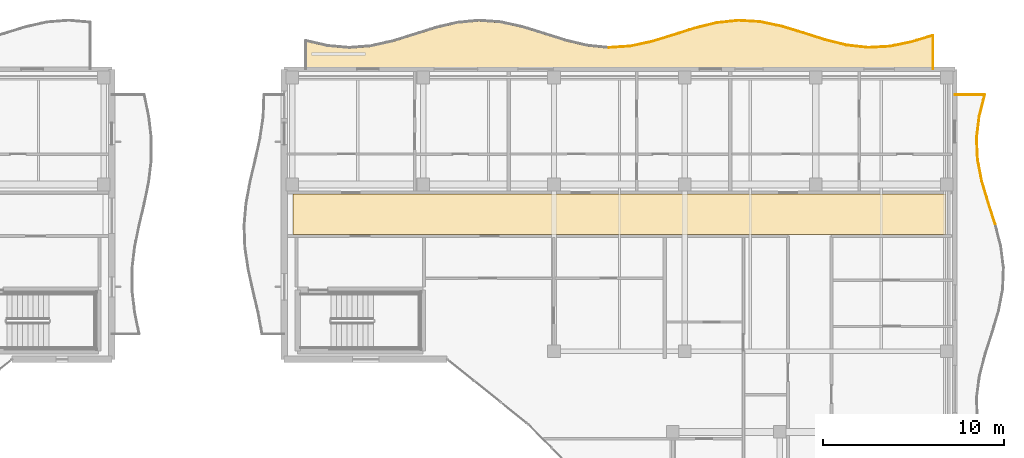
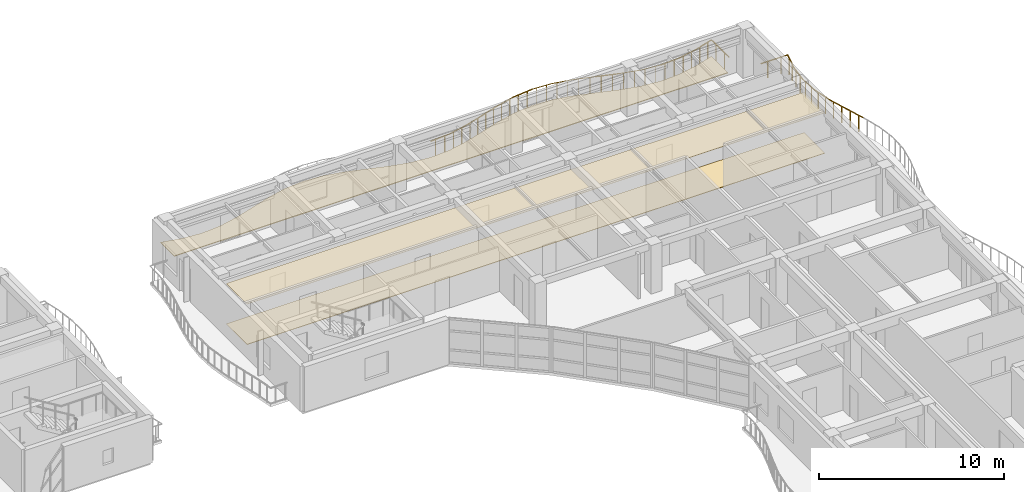
# One storey, part 89 of 89: 23 railings, 3 coverings.
"""IFC4 building model written with IfcOpenShell, lengths in metres."""

from ifc_helpers import new_model, si_unit, direction, frame, origin, origin_2d, place, context, subcontext, project, spatial, polyline, circle, outline, extrude, material, layer, layer_set, type_object, element, save


model = new_model("IFC4")

# Units and contexts
model_context = context("Model", 3, precision=1e-05, world=origin(), true_north=direction((0.0, 1.0)))
body_context = subcontext(model_context, "Body", "Model", "MODEL_VIEW")
ifc_project = project(units=[si_unit("LENGTHUNIT", "METRE"), si_unit("AREAUNIT", "SQUARE_METRE"), si_unit("VOLUMEUNIT", "CUBIC_METRE"), si_unit("PLANEANGLEUNIT", "RADIAN"), si_unit("MASSUNIT", "GRAM", prefix="KILO")], contexts=[model_context])

# Site, building, storey
site_placement = place(None, origin())
site = spatial("IfcSite", under=ifc_project, at=site_placement, CompositionType="ELEMENT")
building_placement = place(site_placement, origin())
building = spatial("IfcBuilding", under=site, at=building_placement, Name="Keldmere Railside Commons", CompositionType="ELEMENT")
storey_placement = place(building_placement, frame((0.0, 0.0, 7.360107421875)))
storey = spatial("IfcBuildingStorey", under=building, at=storey_placement, Name="L02", CompositionType="ELEMENT", Elevation=7.360107421875)

# Railings
ifc_material_1 = material(Name="Steel F-24 (S235)", Category="steel")
railing_type = type_object("IfcRailingType", Name="Balcony & Terrace Steel Balustrade 1100", PredefinedType="BALUSTRADE", material=ifc_material_1)
railing_1_placement = place(storey_placement, frame((164.9033203125, 117.201171875, 0.0)))
element("IfcRailing", 1, at=railing_1_placement, inside=storey, type_object=railing_type, Name="GR-1 GRD-L02-3304", PredefinedType="BALUSTRADE", context=body_context, shape_type="SweptSolid", body=[
    extrude(circle(Radius=0.02392578125, at=origin_2d()), frame((0.0, 0.0, 1.076171875), z_axis=(0.997877222893, 0.065123329399, 0.0), x_axis=(-0.065123329399, 0.997877222893, 0.0)), (0.0, 0.0, 1.0), 1.19580078125),
    extrude(circle(Radius=0.02099609375, at=origin_2d()), frame((0.29833984375, 0.01953125, 0.0)), (0.0, 0.0, 1.0), 1.048095703125),
    extrude(circle(Radius=0.02099609375, at=origin_2d()), frame((0.89501953125, 0.058349609375, 0.0)), (0.0, 0.0, 1.0), 1.048095703125),
])
railing_2_placement = place(storey_placement, frame((166.0966796875, 117.279052734375, 0.0)))
element("IfcRailing", 2, at=railing_2_placement, inside=storey, type_object=railing_type, Name="GR-1 GRD-L02-3305", PredefinedType="BALUSTRADE", context=body_context, shape_type="SweptSolid", body=[
    extrude(circle(Radius=0.02392578125, at=origin_2d()), frame((0.0, 0.0, 1.076171875), z_axis=(0.9778111974, 0.209488095698, 0.0), x_axis=(-0.209488095698, 0.9778111974, 0.0)), (0.0, 0.0, 1.0), 1.22021484375),
    extrude(circle(Radius=0.02099609375, at=origin_2d()), frame((0.29833984375, 0.06396484375, 0.0)), (0.0, 0.0, 1.0), 1.048095703125),
    extrude(circle(Radius=0.02099609375, at=origin_2d()), frame((0.894775390625, 0.191650390625, 0.0)), (0.0, 0.0, 1.0), 1.048095703125),
])
railing_3_placement = place(storey_placement, frame((167.289794921875, 117.53466796875, 0.0)))
element("IfcRailing", 3, at=railing_3_placement, inside=storey, type_object=railing_type, Name="GR-1 GRD-L02-3306", PredefinedType="BALUSTRADE", context=body_context, shape_type="SweptSolid", body=[
    extrude(circle(Radius=0.02392578125, at=origin_2d()), frame((0.0, 0.0, 1.076171875), z_axis=(0.956091490914, 0.293068355512, 0.0), x_axis=(-0.293068355512, 0.956091490914, 0.0)), (0.0, 0.0, 1.0), 1.247802734375),
    extrude(circle(Radius=0.02099609375, at=origin_2d()), frame((0.29833984375, 0.09130859375, 0.0)), (0.0, 0.0, 1.0), 1.048095703125),
    extrude(circle(Radius=0.02099609375, at=origin_2d()), frame((0.894775390625, 0.2744140625, 0.0)), (0.0, 0.0, 1.0), 1.048095703125),
])
railing_4_placement = place(storey_placement, frame((168.48291015625, 117.900390625, 0.0)))
element("IfcRailing", 4, at=railing_4_placement, inside=storey, type_object=railing_type, Name="GR-1 GRD-L02-3307", PredefinedType="BALUSTRADE", context=body_context, shape_type="SweptSolid", body=[
    extrude(circle(Radius=0.02392578125, at=origin_2d()), frame((0.0, 0.0, 1.076171875), z_axis=(0.953130517875, 0.302559441921, 0.0), x_axis=(-0.302559441921, 0.953130517875, 0.0)), (0.0, 0.0, 1.0), 1.25146484375),
    extrude(circle(Radius=0.02099609375, at=origin_2d()), frame((0.29833984375, 0.0947265625, 0.0)), (0.0, 0.0, 1.0), 1.048095703125),
    extrude(circle(Radius=0.02099609375, at=origin_2d()), frame((0.89453125, 0.283935546875, 0.0)), (0.0, 0.0, 1.0), 1.048095703125),
])
railing_5_placement = place(storey_placement, frame((169.67578125, 118.279052734375, 0.0)))
element("IfcRailing", 5, at=railing_5_placement, inside=storey, type_object=railing_type, Name="GR-1 GRD-L02-3308", PredefinedType="BALUSTRADE", context=body_context, shape_type="SweptSolid", body=[
    extrude(circle(Radius=0.02392578125, at=origin_2d()), frame((0.0, 0.0, 1.076171875), z_axis=(0.971380664307, 0.237528114149, 0.0), x_axis=(-0.237528114149, 0.971380664307, 0.0)), (0.0, 0.0, 1.0), 1.228271484375),
    extrude(circle(Radius=0.02099609375, at=origin_2d()), frame((0.29833984375, 0.072998046875, 0.0)), (0.0, 0.0, 1.0), 1.048095703125),
    extrude(circle(Radius=0.02099609375, at=origin_2d()), frame((0.894775390625, 0.21875, 0.0)), (0.0, 0.0, 1.0), 1.048095703125),
])
railing_6_placement = place(storey_placement, frame((170.868896484375, 118.57080078125, 0.0)))
element("IfcRailing", 6, at=railing_6_placement, inside=storey, type_object=railing_type, Name="GR-1 GRD-L02-3309", PredefinedType="BALUSTRADE", context=body_context, shape_type="SweptSolid", body=[
    extrude(circle(Radius=0.02392578125, at=origin_2d()), frame((0.0, 0.0, 1.076171875), z_axis=(0.994365207607, 0.106008650125, 0.0), x_axis=(-0.106008650125, 0.994365207607, 0.0)), (0.0, 0.0, 1.0), 1.199951171875),
    extrude(circle(Radius=0.02099609375, at=origin_2d()), frame((0.29833984375, 0.03173828125, 0.0)), (0.0, 0.0, 1.0), 1.048095703125),
    extrude(circle(Radius=0.02099609375, at=origin_2d()), frame((0.894775390625, 0.095458984375, 0.0)), (0.0, 0.0, 1.0), 1.048095703125),
])
railing_7_placement = place(storey_placement, frame((172.06201171875, 118.697998046875, 0.0)))
element("IfcRailing", 7, at=railing_7_placement, inside=storey, type_object=railing_type, Name="GR-1 GRD-L02-3310", PredefinedType="BALUSTRADE", context=body_context, shape_type="SweptSolid", body=[
    extrude(circle(Radius=0.02392578125, at=origin_2d()), frame((0.0, 0.0, 1.076171875), z_axis=(0.9982318534, -0.059440447993, 0.0), x_axis=(0.059440447993, 0.9982318534, 0.0)), (0.0, 0.0, 1.0), 1.1953125),
    extrude(circle(Radius=0.02099609375, at=origin_2d()), frame((0.29833984375, -0.017822265625, 0.0)), (0.0, 0.0, 1.0), 1.048095703125),
    extrude(circle(Radius=0.02099609375, at=origin_2d()), frame((0.894775390625, -0.05322265625, 0.0)), (0.0, 0.0, 1.0), 1.048095703125),
])
railing_8_placement = place(storey_placement, frame((173.255126953125, 118.626953125, 0.0)))
element("IfcRailing", 8, at=railing_8_placement, inside=storey, type_object=railing_type, Name="GR-1 GRD-L02-3311", PredefinedType="BALUSTRADE", context=body_context, shape_type="SweptSolid", body=[
    extrude(circle(Radius=0.02392578125, at=origin_2d()), frame((0.0, 0.0, 1.076171875), z_axis=(0.978704621536, -0.205273631487, 0.0), x_axis=(0.205273631487, 0.978704621536, 0.0)), (0.0, 0.0, 1.0), 1.218994140625),
    extrude(circle(Radius=0.02099609375, at=origin_2d()), frame((0.29833984375, -0.0625, 0.0)), (0.0, 0.0, 1.0), 1.048095703125),
    extrude(circle(Radius=0.02099609375, at=origin_2d()), frame((0.894775390625, -0.187744140625, 0.0)), (0.0, 0.0, 1.0), 1.048095703125),
])
railing_9_placement = place(storey_placement, frame((174.4482421875, 118.376708984375, 0.0)))
element("IfcRailing", 9, at=railing_9_placement, inside=storey, type_object=railing_type, Name="GR-1 GRD-L02-3312", PredefinedType="BALUSTRADE", context=body_context, shape_type="SweptSolid", body=[
    extrude(circle(Radius=0.02392578125, at=origin_2d()), frame((0.0, 0.0, 1.076171875), z_axis=(0.956583753381, -0.291457583136, 0.0), x_axis=(0.291457583136, 0.956583753381, 0.0)), (0.0, 0.0, 1.0), 1.247314453125),
    extrude(circle(Radius=0.02099609375, at=origin_2d()), frame((0.29833984375, -0.0908203125, 0.0)), (0.0, 0.0, 1.0), 1.048095703125),
    extrude(circle(Radius=0.02099609375, at=origin_2d()), frame((0.894775390625, -0.272705078125, 0.0)), (0.0, 0.0, 1.0), 1.048095703125),
])
railing_10_placement = place(storey_placement, frame((175.641357421875, 118.01318359375, 0.0)))
element("IfcRailing", 10, at=railing_10_placement, inside=storey, type_object=railing_type, Name="GR-1 GRD-L02-3313", PredefinedType="BALUSTRADE", context=body_context, shape_type="SweptSolid", body=[
    extrude(circle(Radius=0.02392578125, at=origin_2d()), frame((0.0, 0.0, 1.076171875), z_axis=(0.952810485986, -0.303565771778, 0.0), x_axis=(0.303565771778, 0.952810485986, 0.0)), (0.0, 0.0, 1.0), 1.252197265625),
    extrude(circle(Radius=0.02099609375, at=origin_2d()), frame((0.29833984375, -0.094970703125, 0.0)), (0.0, 0.0, 1.0), 1.048095703125),
    extrude(circle(Radius=0.02099609375, at=origin_2d()), frame((0.894775390625, -0.28515625, 0.0)), (0.0, 0.0, 1.0), 1.048095703125),
])
railing_11_placement = place(storey_placement, frame((176.83447265625, 117.633056640625, 0.0)))
element("IfcRailing", 11, at=railing_11_placement, inside=storey, type_object=railing_type, Name="GR-1 GRD-L02-3314", PredefinedType="BALUSTRADE", context=body_context, shape_type="SweptSolid", body=[
    extrude(circle(Radius=0.02392578125, at=origin_2d()), frame((0.0, 0.0, 1.076171875), z_axis=(0.970550000425, -0.240899764787, 0.0), x_axis=(0.240899764787, 0.970550000425, 0.0)), (0.0, 0.0, 1.0), 1.229248046875),
    extrude(circle(Radius=0.02099609375, at=origin_2d()), frame((0.29833984375, -0.073974609375, 0.0)), (0.0, 0.0, 1.0), 1.048095703125),
    extrude(circle(Radius=0.02099609375, at=origin_2d()), frame((0.894775390625, -0.22216796875, 0.0)), (0.0, 0.0, 1.0), 1.048095703125),
])
railing_12_placement = place(storey_placement, frame((178.027587890625, 117.3369140625, 0.0)))
element("IfcRailing", 12, at=railing_12_placement, inside=storey, type_object=railing_type, Name="GR-1 GRD-L02-3315", PredefinedType="BALUSTRADE", context=body_context, shape_type="SweptSolid", body=[
    extrude(circle(Radius=0.02392578125, at=origin_2d()), frame((0.0, 0.0, 1.076171875), z_axis=(0.993794132234, -0.111234988814, 0.0), x_axis=(0.111234988814, 0.993794132234, 0.0)), (0.0, 0.0, 1.0), 1.20068359375),
    extrude(circle(Radius=0.02099609375, at=origin_2d()), frame((0.29833984375, -0.033447265625, 0.0)), (0.0, 0.0, 1.0), 1.048095703125),
    extrude(circle(Radius=0.02099609375, at=origin_2d()), frame((0.894775390625, -0.10009765625, 0.0)), (0.0, 0.0, 1.0), 1.048095703125),
])
railing_13_placement = place(storey_placement, frame((179.220703125, 117.203369140625, 0.0)))
element("IfcRailing", 13, at=railing_13_placement, inside=storey, type_object=railing_type, Name="GR-1 GRD-L02-3316", PredefinedType="BALUSTRADE", context=body_context, shape_type="SweptSolid", body=[
    extrude(circle(Radius=0.02392578125, at=origin_2d()), frame((0.0, 0.0, 1.076171875), z_axis=(0.998565987454, 0.053534742933, 0.0), x_axis=(-0.053534742933, 0.998565987454, 0.0)), (0.0, 0.0, 1.0), 1.19482421875),
    extrude(circle(Radius=0.02099609375, at=origin_2d()), frame((0.29833984375, 0.01611328125, 0.0)), (0.0, 0.0, 1.0), 1.048095703125),
    extrude(circle(Radius=0.02099609375, at=origin_2d()), frame((0.894775390625, 0.0478515625, 0.0)), (0.0, 0.0, 1.0), 1.048095703125),
])
railing_14_placement = place(storey_placement, frame((180.413818359375, 117.267333984375, 0.0)))
element("IfcRailing", 14, at=railing_14_placement, inside=storey, type_object=railing_type, Name="GR-1 GRD-L02-3317", PredefinedType="BALUSTRADE", context=body_context, shape_type="SweptSolid", body=[
    extrude(circle(Radius=0.02392578125, at=origin_2d()), frame((0.0, 0.0, 1.076171875), z_axis=(0.97954195539, 0.201240049767, 0.0), x_axis=(-0.201240049767, 0.97954195539, 0.0)), (0.0, 0.0, 1.0), 1.218017578125),
    extrude(circle(Radius=0.02099609375, at=origin_2d()), frame((0.29833984375, 0.061279296875, 0.0)), (0.0, 0.0, 1.0), 1.048095703125),
    extrude(circle(Radius=0.02099609375, at=origin_2d()), frame((0.894775390625, 0.183837890625, 0.0)), (0.0, 0.0, 1.0), 1.048095703125),
])
railing_15_placement = place(storey_placement, frame((181.60693359375, 117.512451171875, 0.0)))
element("IfcRailing", 15, at=railing_15_placement, inside=storey, type_object=railing_type, Name="GR-1 GRD-L02-3318", PredefinedType="BALUSTRADE", context=body_context, shape_type="SweptSolid", body=[
    extrude(circle(Radius=0.02392578125, at=origin_2d()), frame((0.0, 0.0, 1.076171875), z_axis=(0.957182402153, 0.289485490154, 0.0), x_axis=(-0.289485490154, 0.957182402153, 0.0)), (0.0, 0.0, 1.0), 1.24658203125),
    extrude(circle(Radius=0.02099609375, at=origin_2d()), frame((0.29833984375, 0.09033203125, 0.0)), (0.0, 0.0, 1.0), 1.048095703125),
    extrude(circle(Radius=0.02099609375, at=origin_2d()), frame((0.894775390625, 0.2705078125, 0.0)), (0.0, 0.0, 1.0), 1.048095703125),
])
railing_16_placement = place(storey_placement, frame((182.800048828125, 117.873291015625, 0.0)))
element("IfcRailing", 16, at=railing_16_placement, inside=storey, type_object=railing_type, Name="GR-1 GRD-L02-3319", PredefinedType="BALUSTRADE", context=body_context, shape_type="SweptSolid", body=[
    extrude(circle(Radius=0.02392578125, at=origin_2d()), frame((0.0, 0.0, 1.076171875), z_axis=(0.0, -1.0, 0.0), x_axis=(1.0, 0.0, 0.0)), (0.0, 0.0, 1.0), 1.873291015625),
    extrude(circle(Radius=0.02099609375, at=origin_2d()), frame((0.0, -0.46826171875, 0.0)), (0.0, 0.0, 1.0), 1.048095703125),
    extrude(circle(Radius=0.02099609375, at=origin_2d()), frame((0.0, -1.405029296875, 0.0)), (0.0, 0.0, 1.0), 1.048095703125),
])
railing_17_placement = place(storey_placement, frame((186.232421875, 107.449951171875, 0.0)))
element("IfcRailing", 17, at=railing_17_placement, inside=storey, type_object=railing_type, Name="GR-1 GRD-L02-3389", PredefinedType="BALUSTRADE", context=body_context, shape_type="SweptSolid", body=[
    extrude(circle(Radius=0.02392578125, at=origin_2d()), frame((0.0, 0.0, 1.076171875), z_axis=(-0.305851325605, 0.952079285892, 0.0), x_axis=(-0.952079285892, -0.305851325605, 0.0)), (0.0, 0.0, 1.0), 1.251708984375),
    extrude(circle(Radius=0.02099609375, at=origin_2d()), frame((-0.095703125, 0.2978515625, 0.0)), (0.0, 0.0, 1.0), 1.048095703125),
    extrude(circle(Radius=0.02099609375, at=origin_2d()), frame((-0.287109375, 0.893798828125, 0.0)), (0.0, 0.0, 1.0), 1.048095703125),
])
railing_18_placement = place(storey_placement, frame((185.849609375, 108.6416015625, 0.0)))
element("IfcRailing", 18, at=railing_18_placement, inside=storey, type_object=railing_type, Name="GR-1 GRD-L02-3390", PredefinedType="BALUSTRADE", context=body_context, shape_type="SweptSolid", body=[
    extrude(circle(Radius=0.02392578125, at=origin_2d()), frame((0.0, 0.0, 1.076171875), z_axis=(-0.286213075554, 0.958165995734, 0.0), x_axis=(-0.958165995734, -0.286213075554, 0.0)), (0.0, 0.0, 1.0), 1.24365234375),
    extrude(circle(Radius=0.02099609375, at=origin_2d()), frame((-0.0888671875, 0.2978515625, 0.0)), (0.0, 0.0, 1.0), 1.048095703125),
    extrude(circle(Radius=0.02099609375, at=origin_2d()), frame((-0.26708984375, 0.893798828125, 0.0)), (0.0, 0.0, 1.0), 1.048095703125),
])
railing_19_placement = place(storey_placement, frame((185.49365234375, 109.833251953125, 0.0)))
element("IfcRailing", 19, at=railing_19_placement, inside=storey, type_object=railing_type, Name="GR-1 GRD-L02-3391", PredefinedType="BALUSTRADE", context=body_context, shape_type="SweptSolid", body=[
    extrude(circle(Radius=0.02392578125, at=origin_2d()), frame((0.0, 0.0, 1.076171875), z_axis=(-0.193757759526, 0.981049402744, 0.0), x_axis=(-0.981049402744, -0.193757759526, 0.0)), (0.0, 0.0, 1.0), 1.214599609375),
    extrude(circle(Radius=0.02099609375, at=origin_2d()), frame((-0.058837890625, 0.2978515625, 0.0)), (0.0, 0.0, 1.0), 1.048095703125),
    extrude(circle(Radius=0.02099609375, at=origin_2d()), frame((-0.176513671875, 0.893798828125, 0.0)), (0.0, 0.0, 1.0), 1.048095703125),
])
railing_20_placement = place(storey_placement, frame((185.25830078125, 111.02490234375, 0.0)))
element("IfcRailing", 20, at=railing_20_placement, inside=storey, type_object=railing_type, Name="GR-1 GRD-L02-3392", PredefinedType="BALUSTRADE", context=body_context, shape_type="SweptSolid", body=[
    extrude(circle(Radius=0.02392578125, at=origin_2d()), frame((0.0, 0.0, 1.076171875), z_axis=(-0.043996683853, 0.99903167708, 0.0), x_axis=(-0.99903167708, -0.043996683853, 0.0)), (0.0, 0.0, 1.0), 1.193115234375),
    extrude(circle(Radius=0.02099609375, at=origin_2d()), frame((-0.01318359375, 0.2978515625, 0.0)), (0.0, 0.0, 1.0), 1.048095703125),
    extrude(circle(Radius=0.02099609375, at=origin_2d()), frame((-0.039306640625, 0.89404296875, 0.0)), (0.0, 0.0, 1.0), 1.048095703125),
])
railing_21_placement = place(storey_placement, frame((185.205810546875, 112.216796875, 0.0)))
element("IfcRailing", 21, at=railing_21_placement, inside=storey, type_object=railing_type, Name="GR-1 GRD-L02-3393", PredefinedType="BALUSTRADE", context=body_context, shape_type="SweptSolid", body=[
    extrude(circle(Radius=0.02392578125, at=origin_2d()), frame((0.0, 0.0, 1.076171875), z_axis=(0.120027587793, 0.992770556659, 0.0), x_axis=(-0.992770556659, 0.120027587793, 0.0)), (0.0, 0.0, 1.0), 1.2001953125),
    extrude(circle(Radius=0.02099609375, at=origin_2d()), frame((0.0361328125, 0.2978515625, 0.0)), (0.0, 0.0, 1.0), 1.048095703125),
    extrude(circle(Radius=0.02099609375, at=origin_2d()), frame((0.10791015625, 0.8935546875, 0.0)), (0.0, 0.0, 1.0), 1.048095703125),
])
railing_22_placement = place(storey_placement, frame((185.349853515625, 113.408203125, 0.0)))
element("IfcRailing", 22, at=railing_22_placement, inside=storey, type_object=railing_type, Name="GR-1 GRD-L02-3394", PredefinedType="BALUSTRADE", context=body_context, shape_type="SweptSolid", body=[
    extrude(circle(Radius=0.02392578125, at=origin_2d()), frame((0.0, 0.0, 1.076171875), z_axis=(0.246177528744, 0.969224754297, 0.0), x_axis=(-0.969224754297, 0.246177528744, 0.0)), (0.0, 0.0, 1.0), 1.229736328125),
    extrude(circle(Radius=0.02099609375, at=origin_2d()), frame((0.07568359375, 0.2978515625, 0.0)), (0.0, 0.0, 1.0), 1.048095703125),
    extrude(circle(Radius=0.02099609375, at=origin_2d()), frame((0.22705078125, 0.89404296875, 0.0)), (0.0, 0.0, 1.0), 1.048095703125),
])
railing_23_placement = place(storey_placement, frame((185.652587890625, 114.60009765625, 0.0)))
element("IfcRailing", 23, at=railing_23_placement, inside=storey, type_object=railing_type, Name="GR-1 GRD-L02-3395", PredefinedType="BALUSTRADE", context=body_context, shape_type="SweptSolid", body=[
    extrude(circle(Radius=0.02392578125, at=origin_2d()), frame((0.0, 0.0, 1.076171875), z_axis=(-1.0, 0.0, 0.0), x_axis=(0.0, -1.0, 0.0)), (0.0, 0.0, 1.0), 1.652587890625),
    extrude(circle(Radius=0.02099609375, at=origin_2d()), frame((-0.4130859375, 0.0, 0.0)), (0.0, 0.0, 1.0), 1.048095703125),
    extrude(circle(Radius=0.02099609375, at=origin_2d()), frame((-1.239501953125, 0.0, 0.0)), (0.0, 0.0, 1.0), 1.048095703125),
])

# Coverings
ifc_material_2 = material(Name="Polished Terrazzo Tile Flooring", Category="concrete")
ifc_layer_1 = layer(ifc_material_2, 0.030029296875, Name="Polished Terrazzo Floor Finish 30")
ifc_layer_set_1 = layer_set([ifc_layer_1], Name="Polished Terrazzo Tile Flooring")
covering_type_1 = type_object("IfcCoveringType", Name="Polished Terrazzo Floor Finish 30", PredefinedType="FLOORING", material=ifc_layer_set_1)
covering_1_placement = place(storey_placement, origin())
element("IfcCovering", 24, at=covering_1_placement, inside=storey, type_object=covering_type_1, Name="FLR-1 Corridor Terrazzo A-L02", PredefinedType="FLOORING", context=body_context, shape_type="SweptSolid", body=[
    extrude(outline(polyline([(147.47998046875, 106.8798828125), (183.52001953125, 106.8798828125), (183.52001953125, 109.1201171875), (147.47998046875, 109.1201171875), (147.47998046875, 106.8798828125)])), origin(), (0.0, 0.0, 1.0), 0.02978515625),
])
ifc_material_3 = material(Name="Acoustic Mineral-Fibre Gypsum Ceiling", Category="gypsum")
ifc_layer_2 = layer(ifc_material_3, 0.02490234375, Name="Suspended Acoustic Ceiling 25")
ifc_layer_set_2 = layer_set([ifc_layer_2], Name="Acoustic Mineral-Fibre Gypsum Ceiling")
covering_type_2 = type_object("IfcCoveringType", Name="Suspended Acoustic Ceiling 25", PredefinedType="CEILING", material=ifc_layer_set_2)
covering_2_placement = place(storey_placement, frame((0.0, 0.0, 2.664794921875)))
element("IfcCovering", 25, at=covering_2_placement, inside=storey, type_object=covering_type_2, Name="CLG-1 Corridor Ceiling A-L02", PredefinedType="CEILING", context=body_context, shape_type="SweptSolid", body=[
    extrude(outline(polyline([(147.47998046875, 106.8798828125), (183.52001953125, 106.8798828125), (183.52001953125, 109.1201171875), (147.47998046875, 109.1201171875), (147.47998046875, 106.8798828125)])), origin(), (0.0, 0.0, 1.0), 0.025146484375),
])
ifc_material_4 = material(Name="White Precast Concrete C35/45", Category="concrete")
ifc_layer_3 = layer(ifc_material_4, 0.044921875, Name="White Architectural Balcony Ribbon Cladding 45")
ifc_layer_set_3 = layer_set([ifc_layer_3], Name="White Precast Concrete C35/45")
covering_type_3 = type_object("IfcCoveringType", Name="White Architectural Balcony Ribbon Cladding 45", PredefinedType="FLOORING", material=ifc_layer_set_3)
covering_3_placement = place(storey_placement, origin())
element("IfcCovering", 26, at=covering_3_placement, inside=storey, type_object=covering_type_3, Name="CLG-WB A L02 N White Balcony Ribbon", PredefinedType="FLOORING", context=body_context, shape_type="SweptSolid", body=[
    extrude(outline(polyline([(182.760009765625, 116.0400390625), (182.760009765625, 117.8193359375), (181.618408203125, 117.47412109375), (181.614990234375, 117.47314453125), (180.421875, 117.228271484375), (180.4189453125, 117.227783203125), (180.416015625, 117.2275390625), (179.222900390625, 117.163330078125), (179.219482421875, 117.163330078125), (179.21630859375, 117.16357421875), (178.023193359375, 117.297119140625), (178.01806640625, 117.298095703125), (176.824951171875, 117.59423828125), (176.822509765625, 117.594970703125), (175.62939453125, 117.97509765625), (174.438232421875, 118.337890625), (173.25, 118.587158203125), (172.06298828125, 118.65771484375), (170.8759765625, 118.53125), (169.686767578125, 118.240478515625), (168.494873046875, 117.8623046875), (168.494384765625, 117.862060546875), (167.301513671875, 117.49658203125), (167.298095703125, 117.49560546875), (166.10498046875, 117.239990234375), (166.09912109375, 117.2392578125), (164.906005859375, 117.161376953125), (164.902587890625, 117.1611328125), (164.8994140625, 117.161376953125), (163.706298828125, 117.281982421875), (163.700927734375, 117.282958984375), (162.5078125, 117.56982421875), (162.505126953125, 117.57080078125), (161.312255859375, 117.947998046875), (160.120849609375, 118.315185546875), (158.93212890625, 118.5751953125), (157.745361328125, 118.6591796875), (156.55810546875, 118.5458984375), (155.369140625, 118.2646484375), (154.177490234375, 117.88916015625), (154.17724609375, 117.88916015625), (152.984130859375, 117.519287109375), (152.981201171875, 117.5185546875), (151.7880859375, 117.252685546875), (151.782470703125, 117.251708984375), (150.58935546875, 117.160400390625), (150.5859375, 117.16015625), (150.58251953125, 117.160400390625), (149.389404296875, 117.267578125), (149.384033203125, 117.268310546875), (148.239990234375, 117.534423828125), (148.239990234375, 116.0400390625), (182.760009765625, 116.0400390625)])), origin(), (0.0, 0.0, 1.0), 0.044921875),
])

save(model, "model.ifc")
